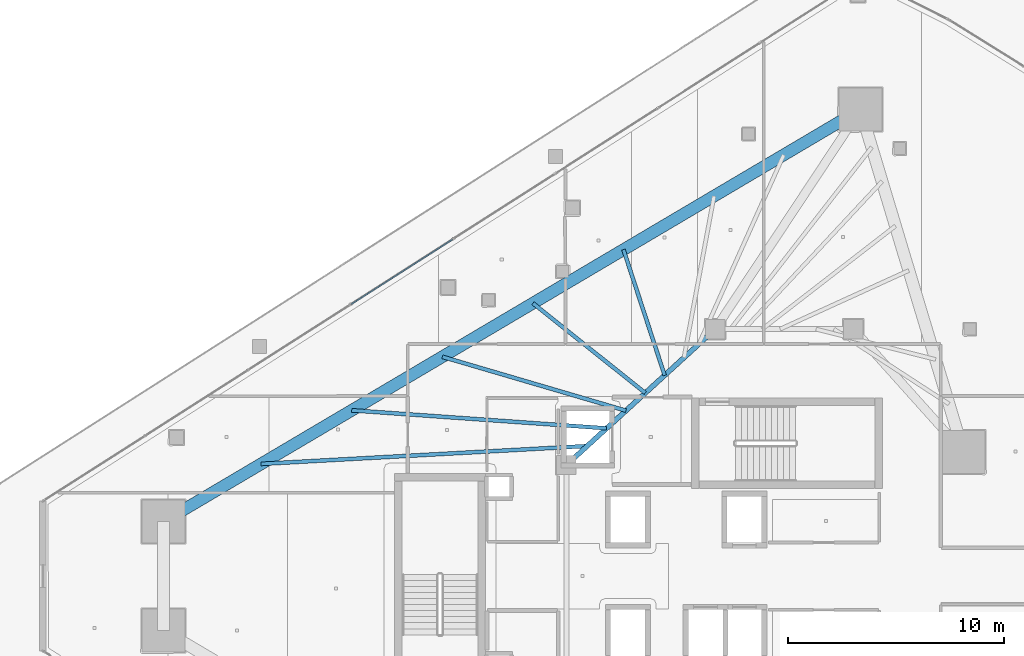
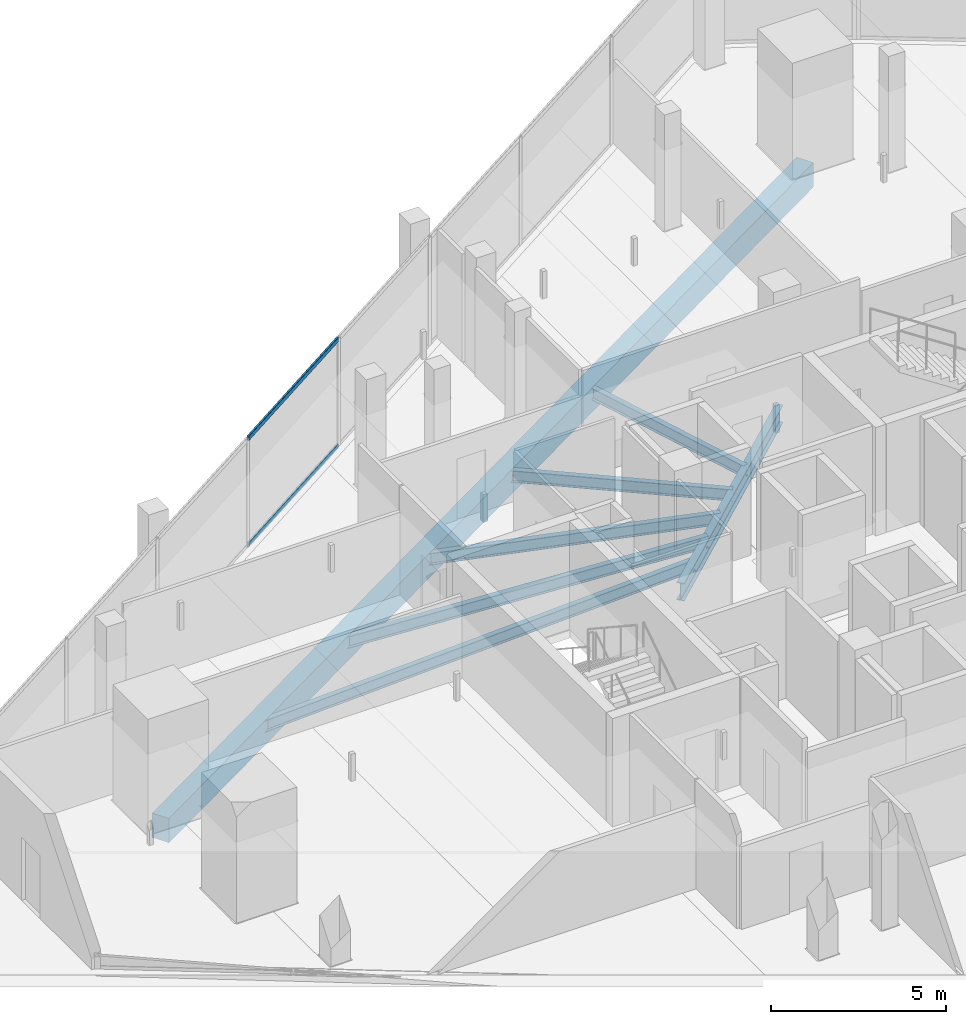
# One storey, part 16 of 36: 7 beams, 2 members, 1 element without a shape of its own.
"""IFC4 building model written with IfcOpenShell, lengths in metres."""

from ifc_helpers import new_model, si_unit, direction, frame, origin, origin_2d, place, context, subcontext, project, spatial, rectangle, hollow_rectangle, i_section, extrude, material, layer, layer_set, material_profile, profile_set, type_object, element, aggregate, save


model = new_model("IFC4")

# Units and contexts
model_context = context("Model", 3, precision=1e-05, world=origin(), true_north=direction((0.0, 1.0)))
body_context = subcontext(model_context, "Body", "Model", "MODEL_VIEW")
ifc_project = project(units=[si_unit("LENGTHUNIT", "METRE"), si_unit("AREAUNIT", "SQUARE_METRE"), si_unit("VOLUMEUNIT", "CUBIC_METRE"), si_unit("PLANEANGLEUNIT", "RADIAN"), si_unit("MASSUNIT", "GRAM", prefix="KILO")], contexts=[model_context])

# Site, building, storey
site_placement = place(None, origin())
site = spatial("IfcSite", under=ifc_project, at=site_placement, CompositionType="ELEMENT")
building_placement = place(site_placement, origin())
building = spatial("IfcBuilding", under=site, at=building_placement, Name="Qorvath Tower", CompositionType="ELEMENT")
storey_placement = place(building_placement, frame((0.0, 0.0, 205.050048828125)))
storey = spatial("IfcBuildingStorey", under=building, at=storey_placement, Name="L47", CompositionType="ELEMENT", Elevation=205.050048828125)

# Beams
ifc_material_1 = material(Name="Steel ASTM A992 Grade 50", Category="steel")
ifc_material_profile_1 = material_profile(ifc_material_1, i_section(OverallWidth=0.22998046875, OverallDepth=0.616943359375, WebThickness=0.01318359375, FlangeThickness=0.022216796875, FilletRadius=0.014892578125, at=origin_2d()), Name="W24x94")
ifc_profile_set_1 = profile_set([ifc_material_profile_1], Name="Steel ASTM A992 Grade 50")
beam_type_1 = type_object("IfcBeamType", Name="BM-FG6", PredefinedType="BEAM", material=ifc_profile_set_1)
beam_1_placement = place(storey_placement, frame((-30.5, 5.14990234375, -0.57861328125), z_axis=(0.73847813985, 0.6742774184, 0.0), x_axis=(-0.6742774184, 0.73847813985, 0.0)))
element("IfcBeam", 1, at=beam_1_placement, inside=storey, type_object=beam_type_1, Name="Core Ring Girder CC5-CC1 L47", PredefinedType="BEAM", context=body_context, shape_type="SweptSolid", body=[
    extrude(i_section(OverallWidth=0.22998046875, OverallDepth=0.616943359375, WebThickness=0.01318359375, FlangeThickness=0.022216796875, FilletRadius=0.014892578125, at=origin_2d()), origin(), (0.0, 0.0, 1.0), 9.343505859375),
])
ifc_material_2 = material(Name="Steel ASTM A992 Grade 50", Category="steel")
ifc_material_profile_2 = material_profile(ifc_material_2, i_section(OverallWidth=0.177978515625, OverallDepth=0.406005859375, WebThickness=0.0078125, FlangeThickness=0.0126953125, FilletRadius=0.010986328125, at=origin_2d()), Name="W16x40")
ifc_profile_set_2 = profile_set([ifc_material_profile_2], Name="Steel ASTM A992 Grade 50")
beam_type_2 = type_object("IfcBeamType", Name="BM-FJ3", PredefinedType="JOIST", material=ifc_profile_set_2)
beam_2_placement = place(storey_placement, frame((-29.533935546875, 6.031982421875, -0.47314453125), z_axis=(-0.998494745044, -0.054847462293, 0.0), x_axis=(0.054847462293, -0.998494745044, 0.0)))
element("IfcBeam", 2, at=beam_2_placement, inside=storey, type_object=beam_type_2, Name="Composite Floor Joist NW1 L47", PredefinedType="JOIST", context=body_context, shape_type="SweptSolid", body=[
    extrude(i_section(OverallWidth=0.177978515625, OverallDepth=0.406005859375, WebThickness=0.0078125, FlangeThickness=0.0126953125, FilletRadius=0.010986328125, at=origin_2d()), origin(), (0.0, 0.0, 1.0), 15.138671875),
])
beam_3_placement = place(storey_placement, frame((-28.636962890625, 6.85107421875, -0.47314453125), z_axis=(-0.997520476731, 0.070376832146, 0.0), x_axis=(-0.070376832146, -0.997520476731, 0.0)))
element("IfcBeam", 3, at=beam_3_placement, inside=storey, type_object=beam_type_2, Name="Composite Floor Joist NW2 L47", PredefinedType="JOIST", context=body_context, shape_type="SweptSolid", body=[
    extrude(i_section(OverallWidth=0.177978515625, OverallDepth=0.406005859375, WebThickness=0.0078125, FlangeThickness=0.0126953125, FilletRadius=0.010986328125, at=origin_2d()), origin(), (0.0, 0.0, 1.0), 11.84326171875),
])
beam_4_placement = place(storey_placement, frame((-27.739990234375, 7.669921875, -0.47314453125), z_axis=(-0.959544992264, 0.281555337049, 0.0), x_axis=(-0.281555337049, -0.959544992264, 0.0)))
element("IfcBeam", 4, at=beam_4_placement, inside=storey, type_object=beam_type_2, Name="Composite Floor Joist NW3 L47", PredefinedType="JOIST", context=body_context, shape_type="SweptSolid", body=[
    extrude(i_section(OverallWidth=0.177978515625, OverallDepth=0.406005859375, WebThickness=0.0078125, FlangeThickness=0.0126953125, FilletRadius=0.010986328125, at=origin_2d()), origin(), (0.0, 0.0, 1.0), 8.87060546875),
])
beam_5_placement = place(storey_placement, frame((-26.843017578125, 8.489013671875, -0.47314453125), z_axis=(-0.781336553339, 0.624109918537, 0.0), x_axis=(-0.624109918537, -0.781336553339, 0.0)))
element("IfcBeam", 5, at=beam_5_placement, inside=storey, type_object=beam_type_2, Name="Composite Floor Joist NW4 L47", PredefinedType="JOIST", context=body_context, shape_type="SweptSolid", body=[
    extrude(i_section(OverallWidth=0.177978515625, OverallDepth=0.406005859375, WebThickness=0.0078125, FlangeThickness=0.0126953125, FilletRadius=0.010986328125, at=origin_2d()), origin(), (0.0, 0.0, 1.0), 6.667724609375),
])
beam_6_placement = place(storey_placement, frame((-25.946044921875, 9.30810546875, -0.47314453125), z_axis=(-0.311228747452, 0.950335028692, 0.0), x_axis=(-0.950335028692, -0.311228747452, 0.0)))
element("IfcBeam", 6, at=beam_6_placement, inside=storey, type_object=beam_type_2, Name="Composite Floor Joist NW5 L47", PredefinedType="JOIST", context=body_context, shape_type="SweptSolid", body=[
    extrude(i_section(OverallWidth=0.177978515625, OverallDepth=0.406005859375, WebThickness=0.0078125, FlangeThickness=0.0126953125, FilletRadius=0.010986328125, at=origin_2d()), origin(), (0.0, 0.0, 1.0), 6.129638671875),
])
ifc_material_3 = material(Name="Concrete C50/60", Category="concrete")
ifc_material_profile_3 = material_profile(ifc_material_3, rectangle(XDim=0.550048828125, YDim=0.85009765625, at=origin_2d()), Name="RCB 850x550")
ifc_profile_set_3 = profile_set([ifc_material_profile_3], Name="Concrete C50/60")
beam_type_3 = type_object("IfcBeamType", Name="BM-RCB2", PredefinedType="SPANDREL", material=ifc_profile_set_3)
beam_7_placement = place(storey_placement, frame((-16.87158203125, 21.627197265625, -0.695068359375), z_axis=(-0.860776759786, -0.50898268125, 0.0), x_axis=(0.50898268125, -0.860776759786, 0.0)))
element("IfcBeam", 7, at=beam_7_placement, inside=storey, type_object=beam_type_3, Name="Perimeter Loggia Frame Beam MC6-MC1 L47", PredefinedType="SPANDREL", context=body_context, shape_type="SweptSolid", body=[
    extrude(rectangle(XDim=0.550048828125, YDim=0.85009765625, at=origin_2d()), origin(), (0.0, 0.0, 1.0), 37.524658203125),
])

# Curtain wall, members
ifc_material_4 = material(Name="Anodised aluminium and triple low-E glass", Category="aluminium")
ifc_layer = layer(ifc_material_4, 0.179931640625)
ifc_layer_set = layer_set([ifc_layer], Name="CW-SYS-3")
curtain_wall_type = type_object("IfcCurtainWallType", Name="CW-SYS-3", PredefinedType="NOTDEFINED", material=ifc_layer_set)
curtain_wall_placement = place(storey_placement, origin())
curtain_wall = element("IfcCurtainWall", 8, at=curtain_wall_placement, inside=storey, type_object=curtain_wall_type, Name="Curtain Wall CW-3 CW-T-L47-16.1", PredefinedType="NOTDEFINED")
ifc_material_5 = material(Name="Anodised aluminium 6063-T6", Category="aluminium")
ifc_material_profile_4 = material_profile(ifc_material_5, hollow_rectangle(XDim=0.06494140625, YDim=0.159912109375, WallThickness=0.00341796875, InnerFilletRadius=0.00341796875, OuterFilletRadius=0.007080078125, at=origin_2d()), Name="CWT 160x65")
ifc_profile_set_4 = profile_set([ifc_material_profile_4], Name="Anodised aluminium 6063-T6")
member_type = type_object("IfcMemberType", Name="CWT-160", PredefinedType="USERDEFINED", material=ifc_profile_set_4)
member_1_placement = place(storey_placement, frame((-35.7802734375, 15.603759765625, 0.032470703125), z_axis=(-0.842594144247, -0.538549076761, 0.0), x_axis=(0.538549076761, -0.842594144247, 0.0)))
member_1 = element("IfcMember", 9, at=member_1_placement, type_object=member_type, Name="CW-3 transom 5.1", ObjectType="TRANSOM", PredefinedType="USERDEFINED", context=body_context, shape_type="SweptSolid", body=[
    extrude(hollow_rectangle(XDim=0.06494140625, YDim=0.159912109375, WallThickness=0.00341796875, InnerFilletRadius=0.00341796875, OuterFilletRadius=0.007080078125, at=origin_2d()), origin(), (0.0, 0.0, 1.0), 5.574951171875),
])
member_2_placement = place(storey_placement, frame((-35.7802734375, 15.603759765625, 3.74755859375), z_axis=(-0.842594144247, -0.538549076761, 0.0), x_axis=(0.538549076761, -0.842594144247, 0.0)))
member_2 = element("IfcMember", 10, at=member_2_placement, type_object=member_type, Name="CW-3 transom 5.2", ObjectType="TRANSOM", PredefinedType="USERDEFINED", context=body_context, shape_type="SweptSolid", body=[
    extrude(hollow_rectangle(XDim=0.06494140625, YDim=0.159912109375, WallThickness=0.00341796875, InnerFilletRadius=0.00341796875, OuterFilletRadius=0.007080078125, at=origin_2d()), origin(), (0.0, 0.0, 1.0), 5.574951171875),
])
aggregate(curtain_wall, [member_1, member_2])

save(model, "model.ifc")
